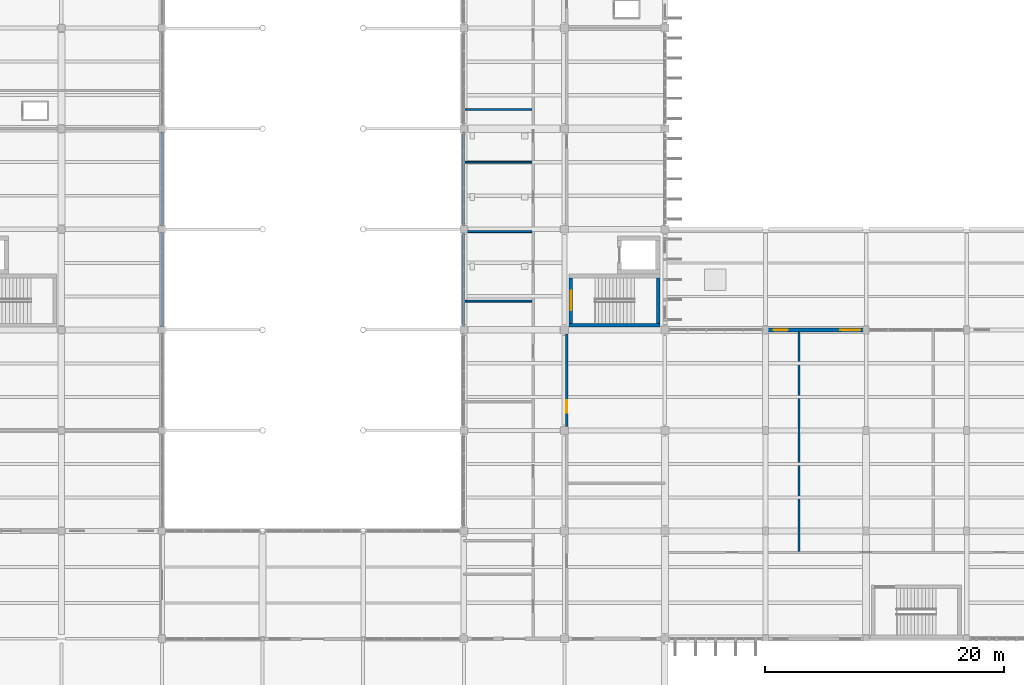
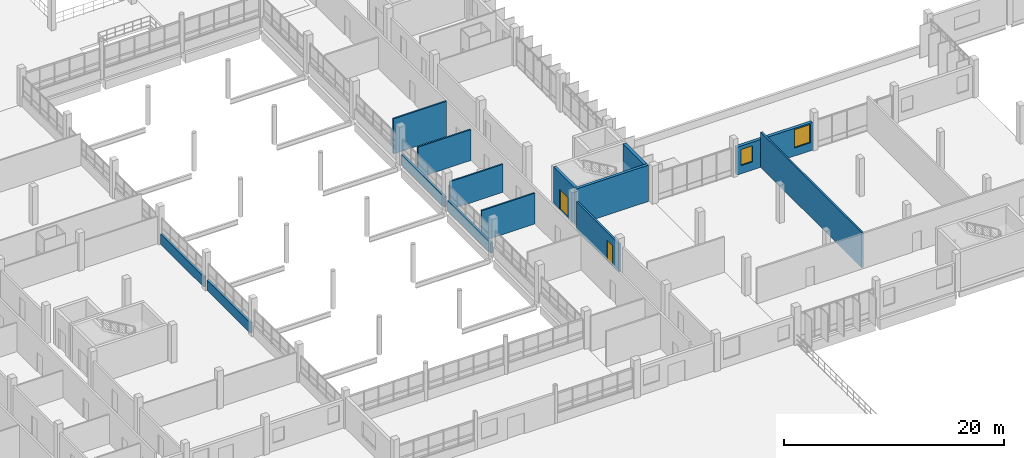
# One storey, part 86 of 101: 14 walls, 2 doors, 2 windows, 4 openings.
"""IFC4 building model written with IfcOpenShell, lengths in metres."""

from ifc_helpers import new_model, si_unit, direction, frame, frame_2d, origin, place, context, subcontext, project, spatial, rectangle, extrude, material, layer, layer_set, type_object, element, fill, save


model = new_model("IFC4")

# Units and contexts
model_context = context("Model", 3, precision=1e-05, world=origin(), true_north=direction((0.0, 1.0)))
body_context = subcontext(model_context, "Body", "Model", "MODEL_VIEW")
ifc_project = project(units=[si_unit("LENGTHUNIT", "METRE"), si_unit("AREAUNIT", "SQUARE_METRE"), si_unit("VOLUMEUNIT", "CUBIC_METRE"), si_unit("PLANEANGLEUNIT", "RADIAN"), si_unit("MASSUNIT", "GRAM", prefix="KILO")], contexts=[model_context])

# Site, building, storey
site_placement = place(None, origin())
site = spatial("IfcSite", under=ifc_project, at=site_placement, CompositionType="ELEMENT")
building_placement = place(site_placement, origin())
building = spatial("IfcBuilding", under=site, at=building_placement, Name="Vireocrest Preparatory School", CompositionType="ELEMENT")
storey_placement = place(building_placement, frame((0.0, 0.0, 4.800048828125)))
storey = spatial("IfcBuildingStorey", under=building, at=storey_placement, Name="L01", CompositionType="ELEMENT", Elevation=4.800048828125)

# Wall, opening, door
ifc_material_1 = material(Name="Gypsum board on cold-formed steel studs", Category="steel")
ifc_layer_1 = layer(ifc_material_1, 0.199951171875)
ifc_layer_set_1 = layer_set([ifc_layer_1], Name="Gypsum board on cold-formed steel studs")
wall_type_1 = type_object("IfcWallType", Name="Corridor One-Hour Fire Partition 200", PredefinedType="PARTITIONING", material=ifc_layer_set_1)
wall_1_placement = place(storey_placement, frame((101.0, 35.735107421875, 0.0), z_axis=(0.0, 0.0, 1.0), x_axis=(0.0, 1.0, 0.0)))
wall_1 = element("IfcWall", 1, at=wall_1_placement, inside=storey, type_object=wall_type_1, Name="Interior Partition W06 IW_L01_0179", PredefinedType="PARTITIONING", context=body_context, shape_type="SweptSolid", body=[
    extrude(rectangle(XDim=7.72998046875, YDim=0.199951171875, at=frame_2d((3.864990234375, 0.0))), origin(), (0.0, 0.0, 1.0), 3.099853515625),
])
opening_1_placement = place(wall_1_placement, frame((1.139892578125, 0.0, 0.0)))
opening_1 = element("IfcOpeningElement", 2, at=opening_1_placement, cuts=wall_1, Name="Opening D-L01-E1E02", PredefinedType="OPENING", context=body_context, shape_type="SweptSolid", body=[
    extrude(rectangle(XDim=1.050048828125, YDim=2.199951171875, at=frame_2d((0.52490234375, 1.10009765625))), frame((0.0, 0.10986328125, 0.0), z_axis=(0.0, -1.0, 0.0), x_axis=(1.0, 0.0, 0.0)), (0.0, 0.0, 1.0), 0.219970703125),
])
ifc_material_2 = material(Name="Painted galvanized hollow steel", Category="steel")
door_type_1 = type_object("IfcDoorType", Name="Laboratory Fire Door 1050x2200", OperationType="NOTDEFINED", PredefinedType="DOOR", material=ifc_material_2)
door_1_placement = place(opening_1_placement, origin())
door_1 = element("IfcDoor", 3, at=door_1_placement, inside=storey, type_object=door_type_1, Name="Interior Door D-L01-E1E02", OperationType="SINGLE_SWING_LEFT", OverallHeight=2.199951171875, OverallWidth=1.050048828125, PredefinedType="DOOR", context=body_context, shape_type="SweptSolid", body=[
    extrude(rectangle(XDim=1.050048828125, YDim=2.199951171875, at=frame_2d((0.52490234375, 1.10009765625))), frame((0.0, 0.02490234375, 0.0), z_axis=(0.0, -1.0, 0.0), x_axis=(1.0, 0.0, 0.0)), (0.0, 0.0, 1.0), 0.050048828125),
])
fill(opening_1, door_1)

# Wall, openings, windows
ifc_material_3 = material(Name="Precast white concrete 40 MPa", Category="concrete")
ifc_layer_2 = layer(ifc_material_3, 0.320068359375)
ifc_layer_set_2 = layer_set([ifc_layer_2], Name="Precast white concrete 40 MPa")
wall_type_2 = type_object("IfcWallType", Name="High-Tech Insulated Rainscreen External Wall 320", PredefinedType="SOLIDWALL", material=ifc_layer_set_2)
wall_2_placement = place(storey_placement, frame((117.824951171875, 43.800048828125, 0.0), z_axis=(0.0, 0.0, 1.0), x_axis=(1.0, 0.0, 0.0)))
wall_2 = element("IfcWall", 4, at=wall_2_placement, inside=storey, type_object=wall_type_2, Name="External Wall W12 EW_L01_0153", PredefinedType="SOLIDWALL", context=body_context, shape_type="SweptSolid", body=[
    extrude(rectangle(XDim=7.949951171875, YDim=0.320068359375, at=frame_2d((3.97509765625, 0.0))), origin(), (0.0, 0.0, 1.0), 3.079833984375),
])
opening_2_placement = place(wall_2_placement, frame((0.449951171875, 0.0, 0.89990234375)))
opening_2 = element("IfcOpeningElement", 5, at=opening_2_placement, cuts=wall_2, Name="Opening WN02", PredefinedType="OPENING", context=body_context, shape_type="SweptSolid", body=[
    extrude(rectangle(XDim=1.199951171875, YDim=1.800048828125, at=frame_2d((0.60009765625, 0.89990234375))), frame((0.0, 0.169921875, 0.0), z_axis=(0.0, -1.0, 0.0), x_axis=(1.0, 0.0, 0.0)), (0.0, 0.0, 1.0), 0.340087890625),
])
opening_3_placement = place(wall_2_placement, frame((6.02001953125, 0.0, 0.89990234375)))
opening_3 = element("IfcOpeningElement", 6, at=opening_3_placement, cuts=wall_2, Name="Opening WN07", PredefinedType="OPENING", context=body_context, shape_type="SweptSolid", body=[
    extrude(rectangle(XDim=1.679931640625, YDim=2.030029296875, at=frame_2d((0.83984375, 1.01513671875))), frame((0.0, 0.169921875, 0.0), z_axis=(0.0, -1.0, 0.0), x_axis=(1.0, 0.0, 0.0)), (0.0, 0.0, 1.0), 0.340087890625),
])
ifc_material_4 = material(Name="Thermally broken aluminium EN AW-6063-T6", Category="aluminium")
window_type_1 = type_object("IfcWindowType", Name="Counseling Window 1200x1800", PartitioningType="SINGLE_PANEL", PredefinedType="WINDOW", material=ifc_material_4)
window_1_placement = place(opening_2_placement, origin())
window_1 = element("IfcWindow", 7, at=window_1_placement, inside=storey, type_object=window_type_1, Name="Window W-L01-052 (WN02)", OverallHeight=1.800048828125, OverallWidth=1.199951171875, PartitioningType="SINGLE_PANEL", PredefinedType="WINDOW", context=body_context, shape_type="SweptSolid", body=[
    extrude(rectangle(XDim=1.199951171875, YDim=1.800048828125, at=frame_2d((0.60009765625, 0.89990234375))), frame((0.0, 0.030029296875, 0.0), z_axis=(0.0, -1.0, 0.0), x_axis=(1.0, 0.0, 0.0)), (0.0, 0.0, 1.0), 0.06005859375),
])
fill(opening_2, window_1)
window_type_2 = type_object("IfcWindowType", Name="Module Lab Window 1680x2400", PartitioningType="SINGLE_PANEL", PredefinedType="WINDOW", material=ifc_material_4)
window_2_placement = place(opening_3_placement, origin())
window_2 = element("IfcWindow", 8, at=window_2_placement, inside=storey, type_object=window_type_2, Name="Window W-L01-053 (WN07)", OverallHeight=2.030029296875, OverallWidth=1.679931640625, PartitioningType="SINGLE_PANEL", PredefinedType="WINDOW", context=body_context, shape_type="SweptSolid", body=[
    extrude(rectangle(XDim=1.679931640625, YDim=2.030029296875, at=frame_2d((0.83984375, 1.01513671875))), frame((0.0, 0.030029296875, 0.0), z_axis=(0.0, -1.0, 0.0), x_axis=(1.0, 0.0, 0.0)), (0.0, 0.0, 1.0), 0.06005859375),
])
fill(opening_3, window_2)

# Walls
ifc_layer_3 = layer(ifc_material_1, 0.159912109375)
ifc_layer_set_3 = layer_set([ifc_layer_3], Name="Gypsum board on cold-formed steel studs")
wall_type_3 = type_object("IfcWallType", Name="Laboratory Wet-Service Partition Wall 160", PredefinedType="PARTITIONING", material=ifc_layer_set_3)
wall_3_placement = place(storey_placement, frame((92.52490234375, 46.199951171875, 0.0), z_axis=(0.0, 0.0, 1.0), x_axis=(1.0, 0.0, 0.0)))
element("IfcWall", 9, at=wall_3_placement, inside=storey, type_object=wall_type_3, Name="Interior Partition W04 IW_L01_0170", PredefinedType="PARTITIONING", context=body_context, shape_type="SweptSolid", body=[
    extrude(rectangle(XDim=5.570068359375, YDim=0.159912109375, at=frame_2d((2.78515625, 0.0))), origin(), (0.0, 0.0, 1.0), 3.419921875),
])
wall_4_placement = place(storey_placement, frame((92.52490234375, 52.0, 0.0), z_axis=(0.0, 0.0, 1.0), x_axis=(1.0, 0.0, 0.0)))
element("IfcWall", 10, at=wall_4_placement, inside=storey, type_object=wall_type_3, Name="Interior Partition W04 IW_L01_0171", PredefinedType="PARTITIONING", context=body_context, shape_type="SweptSolid", body=[
    extrude(rectangle(XDim=5.570068359375, YDim=0.159912109375, at=frame_2d((2.78515625, 0.0))), origin(), (0.0, 0.0, 1.0), 3.099853515625),
])
wall_5_placement = place(storey_placement, frame((92.52490234375, 57.800048828125, 0.0), z_axis=(0.0, 0.0, 1.0), x_axis=(1.0, 0.0, 0.0)))
element("IfcWall", 11, at=wall_5_placement, inside=storey, type_object=wall_type_3, Name="Interior Partition W04 IW_L01_0172", PredefinedType="PARTITIONING", context=body_context, shape_type="SweptSolid", body=[
    extrude(rectangle(XDim=5.570068359375, YDim=0.159912109375, at=frame_2d((2.78515625, 0.0))), origin(), (0.0, 0.0, 1.0), 3.419921875),
])
wall_6_placement = place(storey_placement, frame((92.52490234375, 62.199951171875, 0.0), z_axis=(0.0, 0.0, 1.0), x_axis=(1.0, 0.0, 0.0)))
element("IfcWall", 12, at=wall_6_placement, inside=storey, type_object=wall_type_3, Name="Interior Partition W04 IW_L01_0173", PredefinedType="PARTITIONING", context=body_context, shape_type="SweptSolid", body=[
    extrude(rectangle(XDim=5.570068359375, YDim=0.159912109375, at=frame_2d((2.78515625, 0.0))), origin(), (0.0, 0.0, 1.0), 3.89990234375),
])
ifc_layer_4 = layer(ifc_material_1, 0.179931640625)
ifc_layer_set_4 = layer_set([ifc_layer_4], Name="Gypsum board on cold-formed steel studs")
wall_type_4 = type_object("IfcWallType", Name="Music and Drama Double-Stud Partition 180", PredefinedType="PARTITIONING", material=ifc_layer_set_4)
wall_7_placement = place(storey_placement, frame((120.39990234375, 25.294921875, 0.0), z_axis=(0.0, 0.0, 1.0), x_axis=(0.0, 1.0, 0.0)))
element("IfcWall", 13, at=wall_7_placement, inside=storey, type_object=wall_type_4, Name="Interior Partition W05 IW_L01_0185", PredefinedType="PARTITIONING", context=body_context, shape_type="SweptSolid", body=[
    extrude(rectangle(XDim=18.340087890625, YDim=0.179931640625, at=frame_2d((9.169921875, 0.0))), origin(), (0.0, 0.0, 1.0), 3.89990234375),
])
ifc_material_5 = material(Name="Concrete 45 MPa", Category="concrete")
ifc_layer_5 = layer(ifc_material_5, 0.300048828125)
ifc_layer_set_5 = layer_set([ifc_layer_5], Name="Concrete 45 MPa")
wall_type_5 = type_object("IfcWallType", Name="Two-Hour RC Stair Shaft Shear Wall 300", PredefinedType="SHEAR", material=ifc_layer_set_5)
wall_8_placement = place(storey_placement, frame((101.199951171875, 44.199951171875, 0.0), z_axis=(0.0, 0.0, 1.0), x_axis=(1.0, 0.0, 0.0)))
element("IfcWall", 14, at=wall_8_placement, inside=storey, type_object=wall_type_5, Name="Stair Core Shear Wall ST2 L01-S", PredefinedType="SHEAR", context=body_context, shape_type="SweptSolid", body=[
    extrude(rectangle(XDim=7.60009765625, YDim=0.300048828125, at=frame_2d((3.800048828125, 0.0))), origin(), (0.0, 0.0, 1.0), 4.02490234375),
])

# Wall, opening, door
wall_9_placement = place(storey_placement, frame((101.35009765625, 44.35009765625, 0.0), z_axis=(0.0, 0.0, 1.0), x_axis=(0.0, 1.0, 0.0)))
wall_9 = element("IfcWall", 15, at=wall_9_placement, inside=storey, type_object=wall_type_5, Name="Stair Core Shear Wall ST2 L01-W", PredefinedType="SHEAR", context=body_context, shape_type="SweptSolid", body=[
    extrude(rectangle(XDim=3.7998046875, YDim=0.300048828125, at=frame_2d((1.89990234375, 0.0))), origin(), (0.0, 0.0, 1.0), 4.02490234375),
])
opening_4_placement = place(wall_9_placement, frame((1.10009765625, 0.0, 0.0)))
opening_4 = element("IfcOpeningElement", 16, at=opening_4_placement, cuts=wall_9, Name="Opening SD-ST2-L01", PredefinedType="OPENING", context=body_context, shape_type="SweptSolid", body=[
    extrude(rectangle(XDim=1.60009765625, YDim=2.199951171875, at=frame_2d((0.800048828125, 1.10009765625))), frame((0.0, 0.159912109375, 0.0), z_axis=(0.0, -1.0, 0.0), x_axis=(1.0, 0.0, 0.0)), (0.0, 0.0, 1.0), 0.320068359375),
])
door_type_2 = type_object("IfcDoorType", Name="Stair Core Lobby Fire Door 1600x2200", OperationType="DOUBLE_DOOR_SINGLE_SWING", PredefinedType="DOOR", material=ifc_material_2)
door_2_placement = place(opening_4_placement, origin())
door_2 = element("IfcDoor", 17, at=door_2_placement, inside=storey, type_object=door_type_2, Name="Stair Enclosure Fire Door SD-ST2-L01", OperationType="DOUBLE_DOOR_SINGLE_SWING", OverallHeight=2.199951171875, OverallWidth=1.60009765625, PredefinedType="DOOR", context=body_context, shape_type="SweptSolid", body=[
    extrude(rectangle(XDim=1.60009765625, YDim=2.199951171875, at=frame_2d((0.800048828125, 1.10009765625))), frame((0.0, 0.02490234375, 0.0), z_axis=(0.0, -1.0, 0.0), x_axis=(1.0, 0.0, 0.0)), (0.0, 0.0, 1.0), 0.050048828125),
])
fill(opening_4, door_2)

# Walls
wall_10_placement = place(storey_placement, frame((108.64990234375, 44.35009765625, 0.0), z_axis=(0.0, 0.0, 1.0), x_axis=(0.0, 1.0, 0.0)))
element("IfcWall", 18, at=wall_10_placement, inside=storey, type_object=wall_type_5, Name="Stair Core Shear Wall ST2 L01-E", PredefinedType="SHEAR", context=body_context, shape_type="SweptSolid", body=[
    extrude(rectangle(XDim=3.7998046875, YDim=0.300048828125, at=frame_2d((1.89990234375, 0.0))), origin(), (0.0, 0.0, 1.0), 4.02490234375),
])
ifc_layer_6 = layer(ifc_material_3, 0.239990234375)
ifc_layer_set_6 = layer_set([ifc_layer_6], Name="Precast white concrete 40 MPa")
wall_type_6 = type_object("IfcWallType", Name="White Precast Courtyard Spandrel Wall 240", PredefinedType="SOLIDWALL", material=ifc_layer_set_6)
wall_11_placement = place(storey_placement, frame((67.199951171875, 44.074951171875, 0.0), z_axis=(0.0, 0.0, 1.0), x_axis=(0.0, 1.0, 0.0)))
element("IfcWall", 19, at=wall_11_placement, inside=storey, type_object=wall_type_6, Name="External Wall W08 EW_L01_0206", PredefinedType="SOLIDWALL", context=body_context, shape_type="SweptSolid", body=[
    extrude(rectangle(XDim=7.85009765625, YDim=0.239990234375, at=frame_2d((3.925048828125, 0.0))), origin(), (0.0, 0.0, 1.0), 1.14990234375),
])
wall_12_placement = place(storey_placement, frame((67.199951171875, 52.47509765625, 0.0), z_axis=(0.0, 0.0, 1.0), x_axis=(0.0, 1.0, 0.0)))
element("IfcWall", 20, at=wall_12_placement, inside=storey, type_object=wall_type_6, Name="External Wall W08 EW_L01_0207", PredefinedType="SOLIDWALL", context=body_context, shape_type="SweptSolid", body=[
    extrude(rectangle(XDim=7.849853515625, YDim=0.239990234375, at=frame_2d((3.9248046875, 0.0))), origin(), (0.0, 0.0, 1.0), 1.14990234375),
])
wall_13_placement = place(storey_placement, frame((92.39990234375, 44.10009765625, 0.0), z_axis=(0.0, 0.0, 1.0), x_axis=(0.0, 1.0, 0.0)))
element("IfcWall", 21, at=wall_13_placement, inside=storey, type_object=wall_type_6, Name="External Wall W08 EW_L01_0216", PredefinedType="SOLIDWALL", context=body_context, shape_type="SweptSolid", body=[
    extrude(rectangle(XDim=7.7998046875, YDim=0.239990234375, at=frame_2d((3.89990234375, 0.0))), origin(), (0.0, 0.0, 1.0), 1.14990234375),
])
wall_14_placement = place(storey_placement, frame((92.39990234375, 52.5, 0.0), z_axis=(0.0, 0.0, 1.0), x_axis=(0.0, 1.0, 0.0)))
element("IfcWall", 22, at=wall_14_placement, inside=storey, type_object=wall_type_6, Name="External Wall W08 EW_L01_0217", PredefinedType="SOLIDWALL", context=body_context, shape_type="SweptSolid", body=[
    extrude(rectangle(XDim=7.800048828125, YDim=0.239990234375, at=frame_2d((3.89990234375, 0.0))), origin(), (0.0, 0.0, 1.0), 1.14990234375),
])

save(model, "model.ifc")
